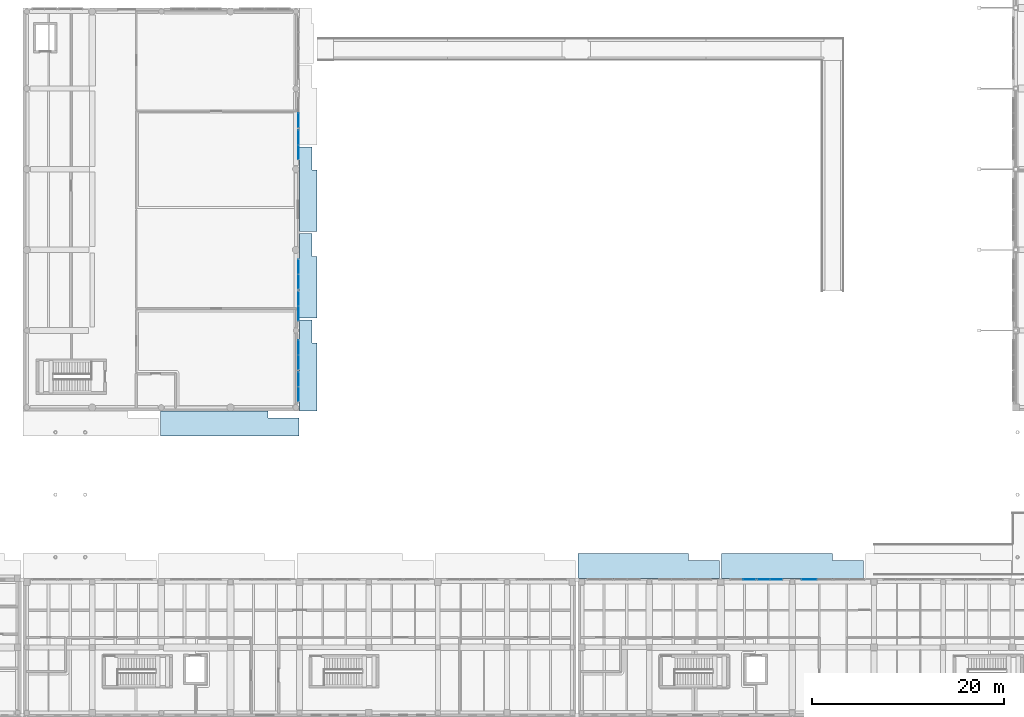
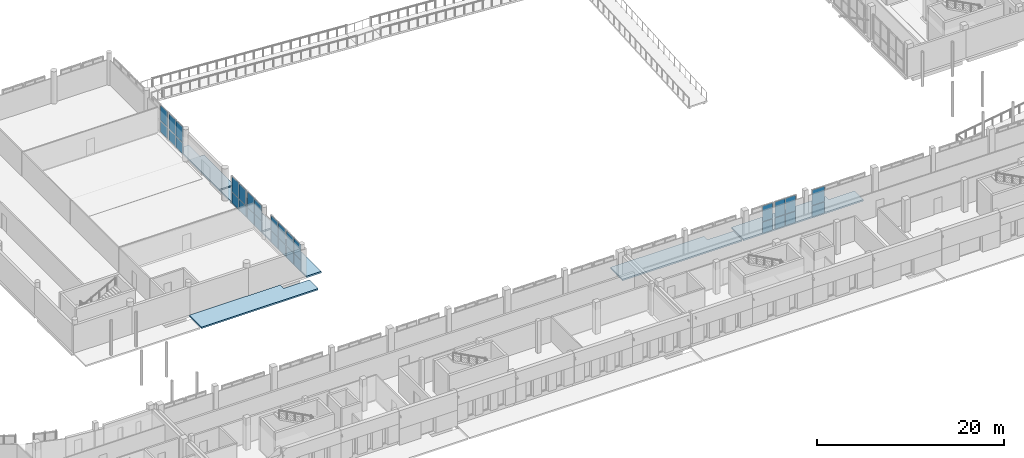
# One storey, part 41 of 77: 30 plates, 6 slabs, 9 elements without a shape of their own.
"""IFC4 building model written with IfcOpenShell, lengths in metres."""

from ifc_helpers import new_model, si_unit, direction, frame, origin, origin_2d, place, context, subcontext, project, spatial, polyline, rectangle, outline, extrude, material, layer, layer_set, type_object, element, aggregate, save


model = new_model("IFC4")

# Units and contexts
model_context = context("Model", 3, precision=1e-05, world=origin(), true_north=direction((0.0, 1.0)))
body_context = subcontext(model_context, "Body", "Model", "MODEL_VIEW")
ifc_project = project(units=[si_unit("LENGTHUNIT", "METRE"), si_unit("AREAUNIT", "SQUARE_METRE"), si_unit("VOLUMEUNIT", "CUBIC_METRE"), si_unit("PLANEANGLEUNIT", "RADIAN"), si_unit("MASSUNIT", "GRAM", prefix="KILO")], contexts=[model_context])

# Site, building, storey
site_placement = place(None, origin())
site = spatial("IfcSite", under=ifc_project, at=site_placement, CompositionType="ELEMENT")
building_placement = place(site_placement, origin())
building = spatial("IfcBuilding", under=site, at=building_placement, Name="Vardoun Plaza Health Centre", CompositionType="ELEMENT")
storey_placement = place(building_placement, origin())
storey = spatial("IfcBuildingStorey", under=building, at=storey_placement, Name="L00", CompositionType="ELEMENT", Elevation=0.0)

# Curtain wall, plates
ifc_material_1 = material(Name="Aluminium Alloy EN AW-6063-T6 and Low-E Glass", Category="aluminium")
ifc_layer_1 = layer(ifc_material_1, 0.14990234375)
ifc_layer_set_1 = layer_set([ifc_layer_1], Name="Aluminium Alloy EN AW-6063-T6 and Low-E Glass")
curtain_wall_type_1 = type_object("IfcCurtainWallType", Name="CW-03", PredefinedType="NOTDEFINED", material=ifc_layer_set_1)
curtain_wall_1_placement = place(storey_placement, origin())
curtain_wall_1 = element("IfcCurtainWall", 1, at=curtain_wall_1_placement, inside=storey, type_object=curtain_wall_type_1, Name="Curtain Wall CW-V5-137", PredefinedType="NOTDEFINED")
ifc_material_2 = material(Name="Solar-Control Double Low-E Glazing", Category="glass")
ifc_layer_2 = layer(ifc_material_2, 0.028076171875)
ifc_layer_set_2 = layer_set([ifc_layer_2], Name="Solar-Control Double Low-E Glazing")
plate_type_1 = type_object("IfcPlateType", Name="CW-P1", PredefinedType="CURTAIN_PANEL", material=ifc_layer_set_2)
plate_1_placement = place(storey_placement, frame((123.4951171875, 18.780029296875, 0.06005859375), z_axis=(0.0, 0.0, 1.0), x_axis=(1.0, 0.0, 0.0)))
plate_1 = element("IfcPlate", 2, at=plate_1_placement, type_object=plate_type_1, Name="CW-V5-137 panel 2.1", PredefinedType="CURTAIN_PANEL", context=body_context, shape_type="SweptSolid", body=[
    extrude(rectangle(XDim=1.25, YDim=0.028076171875, at=origin_2d()), origin(), (0.0, 0.0, 1.0), 1.459716796875),
])
plate_2_placement = place(storey_placement, frame((123.4951171875, 18.780029296875, 1.579833984375), z_axis=(0.0, 0.0, 1.0), x_axis=(1.0, 0.0, 0.0)))
plate_2 = element("IfcPlate", 3, at=plate_2_placement, type_object=plate_type_1, Name="CW-V5-137 panel 2.2", PredefinedType="CURTAIN_PANEL", context=body_context, shape_type="SweptSolid", body=[
    extrude(rectangle(XDim=1.25, YDim=0.028076171875, at=origin_2d()), origin(), (0.0, 0.0, 1.0), 2.05029296875),
])
aggregate(curtain_wall_1, [plate_1, plate_2])

curtain_wall_2_placement = place(storey_placement, origin())
curtain_wall_2 = element("IfcCurtainWall", 4, at=curtain_wall_2_placement, inside=storey, type_object=curtain_wall_type_1, Name="Curtain Wall CW-V5-138", PredefinedType="NOTDEFINED")
plate_3_placement = place(storey_placement, frame((125.02490234375, 18.780029296875, 0.06005859375), z_axis=(0.0, 0.0, 1.0), x_axis=(1.0, 0.0, 0.0)))
plate_3 = element("IfcPlate", 5, at=plate_3_placement, type_object=plate_type_1, Name="CW-V5-138 panel 1.1", PredefinedType="CURTAIN_PANEL", context=body_context, shape_type="SweptSolid", body=[
    extrude(rectangle(XDim=1.25, YDim=0.028076171875, at=origin_2d()), origin(), (0.0, 0.0, 1.0), 1.459716796875),
])
plate_4_placement = place(storey_placement, frame((125.02490234375, 18.780029296875, 1.579833984375), z_axis=(0.0, 0.0, 1.0), x_axis=(1.0, 0.0, 0.0)))
plate_4 = element("IfcPlate", 6, at=plate_4_placement, type_object=plate_type_1, Name="CW-V5-138 panel 1.2", PredefinedType="CURTAIN_PANEL", context=body_context, shape_type="SweptSolid", body=[
    extrude(rectangle(XDim=1.25, YDim=0.028076171875, at=origin_2d()), origin(), (0.0, 0.0, 1.0), 2.05029296875),
])
plate_5_placement = place(storey_placement, frame((126.3349609375, 18.780029296875, 0.06005859375), z_axis=(0.0, 0.0, 1.0), x_axis=(1.0, 0.0, 0.0)))
plate_5 = element("IfcPlate", 7, at=plate_5_placement, type_object=plate_type_1, Name="CW-V5-138 panel 2.1", PredefinedType="CURTAIN_PANEL", context=body_context, shape_type="SweptSolid", body=[
    extrude(rectangle(XDim=1.25, YDim=0.028076171875, at=origin_2d()), origin(), (0.0, 0.0, 1.0), 1.459716796875),
])
plate_6_placement = place(storey_placement, frame((126.3349609375, 18.780029296875, 1.579833984375), z_axis=(0.0, 0.0, 1.0), x_axis=(1.0, 0.0, 0.0)))
plate_6 = element("IfcPlate", 8, at=plate_6_placement, type_object=plate_type_1, Name="CW-V5-138 panel 2.2", PredefinedType="CURTAIN_PANEL", context=body_context, shape_type="SweptSolid", body=[
    extrude(rectangle(XDim=1.25, YDim=0.028076171875, at=origin_2d()), origin(), (0.0, 0.0, 1.0), 2.05029296875),
])
aggregate(curtain_wall_2, [plate_3, plate_4, plate_5, plate_6])

curtain_wall_3_placement = place(storey_placement, origin())
curtain_wall_3 = element("IfcCurtainWall", 9, at=curtain_wall_3_placement, inside=storey, type_object=curtain_wall_type_1, Name="Curtain Wall CW-V5-139", PredefinedType="NOTDEFINED")
plate_7_placement = place(storey_placement, frame((129.760009765625, 18.780029296875, 0.06005859375), z_axis=(0.0, 0.0, 1.0), x_axis=(1.0, 0.0, 0.0)))
plate_7 = element("IfcPlate", 10, at=plate_7_placement, type_object=plate_type_1, Name="CW-V5-139 panel 1.1", PredefinedType="CURTAIN_PANEL", context=body_context, shape_type="SweptSolid", body=[
    extrude(rectangle(XDim=1.52001953125, YDim=0.028076171875, at=origin_2d()), origin(), (0.0, 0.0, 1.0), 1.42626953125),
])
plate_8_placement = place(storey_placement, frame((129.760009765625, 18.780029296875, 1.546142578125), z_axis=(0.0, 0.0, 1.0), x_axis=(1.0, 0.0, 0.0)))
plate_8 = element("IfcPlate", 11, at=plate_8_placement, type_object=plate_type_1, Name="CW-V5-139 panel 1.2", PredefinedType="CURTAIN_PANEL", context=body_context, shape_type="SweptSolid", body=[
    extrude(rectangle(XDim=1.52001953125, YDim=0.028076171875, at=origin_2d()), origin(), (0.0, 0.0, 1.0), 2.00390625),
])
aggregate(curtain_wall_3, [plate_7, plate_8])

ifc_material_3 = material(Name="Aluminium Alloy EN AW-6063-T6 and Low-E Glass", Category="aluminium")
ifc_layer_3 = layer(ifc_material_3, 0.179931640625)
ifc_layer_set_3 = layer_set([ifc_layer_3], Name="Aluminium Alloy EN AW-6063-T6 and Low-E Glass")
curtain_wall_type_2 = type_object("IfcCurtainWallType", Name="CW-01", PredefinedType="USERDEFINED", material=ifc_layer_set_3)
curtain_wall_4_placement = place(storey_placement, origin())
curtain_wall_4 = element("IfcCurtainWall", 12, at=curtain_wall_4_placement, inside=storey, type_object=curtain_wall_type_2, Name="Curtain Wall CW-V1-009", ObjectType="CONCOURSE_CURTAIN_WALL", PredefinedType="USERDEFINED")
ifc_material_4 = material(Name="Acoustic Laminated Double Low-E Glazing", Category="glass")
ifc_layer_4 = layer(ifc_material_4, 0.031982421875)
ifc_layer_set_4 = layer_set([ifc_layer_4], Name="Acoustic Laminated Double Low-E Glazing")
plate_type_2 = type_object("IfcPlateType", Name="CW-P2", PredefinedType="CURTAIN_PANEL", material=ifc_layer_set_4)
plate_9_placement = place(storey_placement, frame((76.56005859375, 66.586181640625, 0.06494140625), z_axis=(0.0, 0.0, 1.0), x_axis=(0.0, -1.0, 0.0)))
plate_9 = element("IfcPlate", 13, at=plate_9_placement, type_object=plate_type_2, Name="CW-V1-009 panel 2.1", PredefinedType="CURTAIN_PANEL", context=body_context, shape_type="SweptSolid", body=[
    extrude(rectangle(XDim=1.482421875, YDim=0.031982421875, at=origin_2d()), origin(), (0.0, 0.0, 1.0), 1.4375),
])
plate_10_placement = place(storey_placement, frame((76.56005859375, 66.586181640625, 1.567626953125), z_axis=(0.0, 0.0, 1.0), x_axis=(0.0, -1.0, 0.0)))
plate_10 = element("IfcPlate", 14, at=plate_10_placement, type_object=plate_type_2, Name="CW-V1-009 panel 2.2", PredefinedType="CURTAIN_PANEL", context=body_context, shape_type="SweptSolid", body=[
    extrude(rectangle(XDim=1.482421875, YDim=0.031982421875, at=origin_2d()), origin(), (0.0, 0.0, 1.0), 2.0224609375),
])
aggregate(curtain_wall_4, [plate_9, plate_10])

curtain_wall_5_placement = place(storey_placement, origin())
curtain_wall_5 = element("IfcCurtainWall", 15, at=curtain_wall_5_placement, inside=storey, type_object=curtain_wall_type_2, Name="Curtain Wall CW-V1-010", ObjectType="CONCOURSE_CURTAIN_WALL", PredefinedType="USERDEFINED")
plate_11_placement = place(storey_placement, frame((76.56005859375, 64.813720703125, 0.06494140625), z_axis=(0.0, 0.0, 1.0), x_axis=(0.0, -1.0, 0.0)))
plate_11 = element("IfcPlate", 16, at=plate_11_placement, type_object=plate_type_2, Name="CW-V1-010 panel 1.1", PredefinedType="CURTAIN_PANEL", context=body_context, shape_type="SweptSolid", body=[
    extrude(rectangle(XDim=1.482421875, YDim=0.031982421875, at=origin_2d()), origin(), (0.0, 0.0, 1.0), 1.4375),
])
plate_12_placement = place(storey_placement, frame((76.56005859375, 64.813720703125, 1.567626953125), z_axis=(0.0, 0.0, 1.0), x_axis=(0.0, -1.0, 0.0)))
plate_12 = element("IfcPlate", 17, at=plate_12_placement, type_object=plate_type_2, Name="CW-V1-010 panel 1.2", PredefinedType="CURTAIN_PANEL", context=body_context, shape_type="SweptSolid", body=[
    extrude(rectangle(XDim=1.482421875, YDim=0.031982421875, at=origin_2d()), origin(), (0.0, 0.0, 1.0), 2.0224609375),
])
plate_13_placement = place(storey_placement, frame((76.56005859375, 63.266357421875, 0.06494140625), z_axis=(0.0, 0.0, 1.0), x_axis=(0.0, -1.0, 0.0)))
plate_13 = element("IfcPlate", 18, at=plate_13_placement, type_object=plate_type_2, Name="CW-V1-010 panel 2.1", PredefinedType="CURTAIN_PANEL", context=body_context, shape_type="SweptSolid", body=[
    extrude(rectangle(XDim=1.482421875, YDim=0.031982421875, at=origin_2d()), origin(), (0.0, 0.0, 1.0), 1.4375),
])
plate_14_placement = place(storey_placement, frame((76.56005859375, 63.266357421875, 1.567626953125), z_axis=(0.0, 0.0, 1.0), x_axis=(0.0, -1.0, 0.0)))
plate_14 = element("IfcPlate", 19, at=plate_14_placement, type_object=plate_type_2, Name="CW-V1-010 panel 2.2", PredefinedType="CURTAIN_PANEL", context=body_context, shape_type="SweptSolid", body=[
    extrude(rectangle(XDim=1.482421875, YDim=0.031982421875, at=origin_2d()), origin(), (0.0, 0.0, 1.0), 2.0224609375),
])
aggregate(curtain_wall_5, [plate_11, plate_12, plate_13, plate_14])

curtain_wall_6_placement = place(storey_placement, origin())
curtain_wall_6 = element("IfcCurtainWall", 20, at=curtain_wall_6_placement, inside=storey, type_object=curtain_wall_type_2, Name="Curtain Wall CW-V1-011", ObjectType="CONCOURSE_CURTAIN_WALL", PredefinedType="USERDEFINED")
plate_15_placement = place(storey_placement, frame((76.56005859375, 51.333740234375, 0.06494140625), z_axis=(0.0, 0.0, 1.0), x_axis=(0.0, -1.0, 0.0)))
plate_15 = element("IfcPlate", 21, at=plate_15_placement, type_object=plate_type_2, Name="CW-V1-011 panel 1.1", PredefinedType="CURTAIN_PANEL", context=body_context, shape_type="SweptSolid", body=[
    extrude(rectangle(XDim=1.482421875, YDim=0.031982421875, at=origin_2d()), origin(), (0.0, 0.0, 1.0), 1.41650390625),
])
plate_16_placement = place(storey_placement, frame((76.56005859375, 51.333740234375, 1.54638671875), z_axis=(0.0, 0.0, 1.0), x_axis=(0.0, -1.0, 0.0)))
plate_16 = element("IfcPlate", 22, at=plate_16_placement, type_object=plate_type_2, Name="CW-V1-011 panel 1.2", PredefinedType="CURTAIN_PANEL", context=body_context, shape_type="SweptSolid", body=[
    extrude(rectangle(XDim=1.482421875, YDim=0.031982421875, at=origin_2d()), origin(), (0.0, 0.0, 1.0), 1.993408203125),
])
plate_17_placement = place(storey_placement, frame((76.56005859375, 49.7861328125, 0.06494140625), z_axis=(0.0, 0.0, 1.0), x_axis=(0.0, -1.0, 0.0)))
plate_17 = element("IfcPlate", 23, at=plate_17_placement, type_object=plate_type_2, Name="CW-V1-011 panel 2.1", PredefinedType="CURTAIN_PANEL", context=body_context, shape_type="SweptSolid", body=[
    extrude(rectangle(XDim=1.482421875, YDim=0.031982421875, at=origin_2d()), origin(), (0.0, 0.0, 1.0), 1.41650390625),
])
plate_18_placement = place(storey_placement, frame((76.56005859375, 49.7861328125, 1.54638671875), z_axis=(0.0, 0.0, 1.0), x_axis=(0.0, -1.0, 0.0)))
plate_18 = element("IfcPlate", 24, at=plate_18_placement, type_object=plate_type_2, Name="CW-V1-011 panel 2.2", PredefinedType="CURTAIN_PANEL", context=body_context, shape_type="SweptSolid", body=[
    extrude(rectangle(XDim=1.482421875, YDim=0.031982421875, at=origin_2d()), origin(), (0.0, 0.0, 1.0), 1.993408203125),
])
aggregate(curtain_wall_6, [plate_15, plate_16, plate_17, plate_18])

curtain_wall_7_placement = place(storey_placement, origin())
curtain_wall_7 = element("IfcCurtainWall", 25, at=curtain_wall_7_placement, inside=storey, type_object=curtain_wall_type_2, Name="Curtain Wall CW-V1-012", ObjectType="CONCOURSE_CURTAIN_WALL", PredefinedType="USERDEFINED")
plate_19_placement = place(storey_placement, frame((76.56005859375, 48.013671875, 0.06494140625), z_axis=(0.0, 0.0, 1.0), x_axis=(0.0, -1.0, 0.0)))
plate_19 = element("IfcPlate", 26, at=plate_19_placement, type_object=plate_type_2, Name="CW-V1-012 panel 1.1", PredefinedType="CURTAIN_PANEL", context=body_context, shape_type="SweptSolid", body=[
    extrude(rectangle(XDim=1.482421875, YDim=0.031982421875, at=origin_2d()), origin(), (0.0, 0.0, 1.0), 1.41650390625),
])
plate_20_placement = place(storey_placement, frame((76.56005859375, 48.013671875, 1.54638671875), z_axis=(0.0, 0.0, 1.0), x_axis=(0.0, -1.0, 0.0)))
plate_20 = element("IfcPlate", 27, at=plate_20_placement, type_object=plate_type_2, Name="CW-V1-012 panel 1.2", PredefinedType="CURTAIN_PANEL", context=body_context, shape_type="SweptSolid", body=[
    extrude(rectangle(XDim=1.482421875, YDim=0.031982421875, at=origin_2d()), origin(), (0.0, 0.0, 1.0), 1.993408203125),
])
plate_21_placement = place(storey_placement, frame((76.56005859375, 46.46630859375, 0.06494140625), z_axis=(0.0, 0.0, 1.0), x_axis=(0.0, -1.0, 0.0)))
plate_21 = element("IfcPlate", 28, at=plate_21_placement, type_object=plate_type_2, Name="CW-V1-012 panel 2.1", PredefinedType="CURTAIN_PANEL", context=body_context, shape_type="SweptSolid", body=[
    extrude(rectangle(XDim=1.482421875, YDim=0.031982421875, at=origin_2d()), origin(), (0.0, 0.0, 1.0), 1.41650390625),
])
plate_22_placement = place(storey_placement, frame((76.56005859375, 46.46630859375, 1.54638671875), z_axis=(0.0, 0.0, 1.0), x_axis=(0.0, -1.0, 0.0)))
plate_22 = element("IfcPlate", 29, at=plate_22_placement, type_object=plate_type_2, Name="CW-V1-012 panel 2.2", PredefinedType="CURTAIN_PANEL", context=body_context, shape_type="SweptSolid", body=[
    extrude(rectangle(XDim=1.482421875, YDim=0.031982421875, at=origin_2d()), origin(), (0.0, 0.0, 1.0), 1.993408203125),
])
aggregate(curtain_wall_7, [plate_19, plate_20, plate_21, plate_22])

curtain_wall_8_placement = place(storey_placement, origin())
curtain_wall_8 = element("IfcCurtainWall", 30, at=curtain_wall_8_placement, inside=storey, type_object=curtain_wall_type_2, Name="Curtain Wall CW-V1-013", ObjectType="CONCOURSE_CURTAIN_WALL", PredefinedType="USERDEFINED")
plate_23_placement = place(storey_placement, frame((76.56005859375, 42.933837890625, 0.06494140625), z_axis=(0.0, 0.0, 1.0), x_axis=(0.0, -1.0, 0.0)))
plate_23 = element("IfcPlate", 31, at=plate_23_placement, type_object=plate_type_2, Name="CW-V1-013 panel 1.1", PredefinedType="CURTAIN_PANEL", context=body_context, shape_type="SweptSolid", body=[
    extrude(rectangle(XDim=1.482421875, YDim=0.031982421875, at=origin_2d()), origin(), (0.0, 0.0, 1.0), 1.408203125),
])
plate_24_placement = place(storey_placement, frame((76.56005859375, 42.933837890625, 1.5380859375), z_axis=(0.0, 0.0, 1.0), x_axis=(0.0, -1.0, 0.0)))
plate_24 = element("IfcPlate", 32, at=plate_24_placement, type_object=plate_type_2, Name="CW-V1-013 panel 1.2", PredefinedType="CURTAIN_PANEL", context=body_context, shape_type="SweptSolid", body=[
    extrude(rectangle(XDim=1.482421875, YDim=0.031982421875, at=origin_2d()), origin(), (0.0, 0.0, 1.0), 1.981689453125),
])
plate_25_placement = place(storey_placement, frame((76.56005859375, 41.38623046875, 0.06494140625), z_axis=(0.0, 0.0, 1.0), x_axis=(0.0, -1.0, 0.0)))
plate_25 = element("IfcPlate", 33, at=plate_25_placement, type_object=plate_type_2, Name="CW-V1-013 panel 2.1", PredefinedType="CURTAIN_PANEL", context=body_context, shape_type="SweptSolid", body=[
    extrude(rectangle(XDim=1.482421875, YDim=0.031982421875, at=origin_2d()), origin(), (0.0, 0.0, 1.0), 1.408203125),
])
plate_26_placement = place(storey_placement, frame((76.56005859375, 41.38623046875, 1.5380859375), z_axis=(0.0, 0.0, 1.0), x_axis=(0.0, -1.0, 0.0)))
plate_26 = element("IfcPlate", 34, at=plate_26_placement, type_object=plate_type_2, Name="CW-V1-013 panel 2.2", PredefinedType="CURTAIN_PANEL", context=body_context, shape_type="SweptSolid", body=[
    extrude(rectangle(XDim=1.482421875, YDim=0.031982421875, at=origin_2d()), origin(), (0.0, 0.0, 1.0), 1.981689453125),
])
aggregate(curtain_wall_8, [plate_23, plate_24, plate_25, plate_26])

curtain_wall_9_placement = place(storey_placement, origin())
curtain_wall_9 = element("IfcCurtainWall", 35, at=curtain_wall_9_placement, inside=storey, type_object=curtain_wall_type_2, Name="Curtain Wall CW-V1-014", ObjectType="CONCOURSE_CURTAIN_WALL", PredefinedType="USERDEFINED")
plate_27_placement = place(storey_placement, frame((76.56005859375, 39.61376953125, 0.06494140625), z_axis=(0.0, 0.0, 1.0), x_axis=(0.0, -1.0, 0.0)))
plate_27 = element("IfcPlate", 36, at=plate_27_placement, type_object=plate_type_2, Name="CW-V1-014 panel 1.1", PredefinedType="CURTAIN_PANEL", context=body_context, shape_type="SweptSolid", body=[
    extrude(rectangle(XDim=1.482421875, YDim=0.031982421875, at=origin_2d()), origin(), (0.0, 0.0, 1.0), 1.408203125),
])
plate_28_placement = place(storey_placement, frame((76.56005859375, 39.61376953125, 1.5380859375), z_axis=(0.0, 0.0, 1.0), x_axis=(0.0, -1.0, 0.0)))
plate_28 = element("IfcPlate", 37, at=plate_28_placement, type_object=plate_type_2, Name="CW-V1-014 panel 1.2", PredefinedType="CURTAIN_PANEL", context=body_context, shape_type="SweptSolid", body=[
    extrude(rectangle(XDim=1.482421875, YDim=0.031982421875, at=origin_2d()), origin(), (0.0, 0.0, 1.0), 1.981689453125),
])
plate_29_placement = place(storey_placement, frame((76.56005859375, 38.066162109375, 0.06494140625), z_axis=(0.0, 0.0, 1.0), x_axis=(0.0, -1.0, 0.0)))
plate_29 = element("IfcPlate", 38, at=plate_29_placement, type_object=plate_type_2, Name="CW-V1-014 panel 2.1", PredefinedType="CURTAIN_PANEL", context=body_context, shape_type="SweptSolid", body=[
    extrude(rectangle(XDim=1.482421875, YDim=0.031982421875, at=origin_2d()), origin(), (0.0, 0.0, 1.0), 1.408203125),
])
plate_30_placement = place(storey_placement, frame((76.56005859375, 38.066162109375, 1.5380859375), z_axis=(0.0, 0.0, 1.0), x_axis=(0.0, -1.0, 0.0)))
plate_30 = element("IfcPlate", 39, at=plate_30_placement, type_object=plate_type_2, Name="CW-V1-014 panel 2.2", PredefinedType="CURTAIN_PANEL", context=body_context, shape_type="SweptSolid", body=[
    extrude(rectangle(XDim=1.482421875, YDim=0.031982421875, at=origin_2d()), origin(), (0.0, 0.0, 1.0), 1.981689453125),
])
aggregate(curtain_wall_9, [plate_27, plate_28, plate_29, plate_30])

# Slabs
ifc_material_5 = material(Name="Pale Limestone Concrete C35/45", Category="masonry")
ifc_layer_5 = layer(ifc_material_5, 0.169921875)
ifc_layer_set_5 = layer_set([ifc_layer_5], Name="Pale Limestone Concrete C35/45")
slab_type = type_object("IfcSlabType", Name="SL-T2", PredefinedType="USERDEFINED", material=ifc_layer_set_5)
slab_1_placement = place(storey_placement, frame((0.0, 0.0, -0.199951171875)))
element("IfcSlab", 40, at=slab_1_placement, inside=storey, type_object=slab_type, Name="Ground Plaza Paving Apron PZ-C11", ObjectType="PAVING", PredefinedType="USERDEFINED", context=body_context, shape_type="SweptSolid", body=[
    extrude(outline(polyline([(62.199951171875, 33.699951171875), (76.60009765625, 33.699951171875), (76.60009765625, 35.572021484375), (73.39990234375, 35.572021484375), (73.39990234375, 36.300048828125), (62.199951171875, 36.300048828125), (62.199951171875, 33.699951171875)])), origin(), (0.0, 0.0, 1.0), 0.199951171875),
])
slab_2_placement = place(storey_placement, frame((0.0, 0.0, -0.199951171875)))
element("IfcSlab", 41, at=slab_2_placement, inside=storey, type_object=slab_type, Name="Ground Plaza Paving Apron PZ-C12", ObjectType="PAVING", PredefinedType="USERDEFINED", context=body_context, shape_type="SweptSolid", body=[
    extrude(outline(polyline([(105.659912109375, 18.89990234375), (120.39990234375, 18.89990234375), (120.39990234375, 20.77197265625), (117.199951171875, 20.77197265625), (117.199951171875, 21.5), (105.659912109375, 21.5), (105.659912109375, 18.89990234375)])), origin(), (0.0, 0.0, 1.0), 0.199951171875),
])
slab_3_placement = place(storey_placement, frame((0.0, 0.0, -0.199951171875)))
element("IfcSlab", 42, at=slab_3_placement, inside=storey, type_object=slab_type, Name="Ground Plaza Paving Apron PZ-C13", ObjectType="PAVING", PredefinedType="USERDEFINED", context=body_context, shape_type="SweptSolid", body=[
    extrude(outline(polyline([(120.60009765625, 18.89990234375), (135.39990234375, 18.89990234375), (135.39990234375, 20.77197265625), (132.199951171875, 20.77197265625), (132.199951171875, 21.5), (120.60009765625, 21.5), (120.60009765625, 18.89990234375)])), origin(), (0.0, 0.0, 1.0), 0.199951171875),
])
slab_4_placement = place(storey_placement, frame((0.0, 0.0, -0.199951171875)))
element("IfcSlab", 43, at=slab_4_placement, inside=storey, type_object=slab_type, Name="Ground Plaza Paving Apron PZ-C20", ObjectType="PAVING", PredefinedType="USERDEFINED", context=body_context, shape_type="SweptSolid", body=[
    extrude(outline(polyline([(76.679931640625, 55.0), (78.47998046875, 55.0), (78.47998046875, 61.39990234375), (77.97607421875, 61.39990234375), (77.97607421875, 63.800048828125), (76.679931640625, 63.800048828125), (76.679931640625, 55.0)])), origin(), (0.0, 0.0, 1.0), 0.199951171875),
])
slab_5_placement = place(storey_placement, frame((0.0, 0.0, -0.199951171875)))
element("IfcSlab", 44, at=slab_5_placement, inside=storey, type_object=slab_type, Name="Ground Plaza Paving Apron PZ-C21", ObjectType="PAVING", PredefinedType="USERDEFINED", context=body_context, shape_type="SweptSolid", body=[
    extrude(outline(polyline([(76.679931640625, 46.0), (78.47998046875, 46.0), (78.47998046875, 52.39990234375), (77.97607421875, 52.39990234375), (77.97607421875, 54.800048828125), (76.679931640625, 54.800048828125), (76.679931640625, 46.0)])), origin(), (0.0, 0.0, 1.0), 0.199951171875),
])
slab_6_placement = place(storey_placement, frame((0.0, 0.0, -0.199951171875)))
element("IfcSlab", 45, at=slab_6_placement, inside=storey, type_object=slab_type, Name="Ground Plaza Paving Apron PZ-C22", ObjectType="PAVING", PredefinedType="USERDEFINED", context=body_context, shape_type="SweptSolid", body=[
    extrude(outline(polyline([(76.679931640625, 36.300048828125), (78.47998046875, 36.300048828125), (78.47998046875, 43.39990234375), (77.97607421875, 43.39990234375), (77.97607421875, 45.800048828125), (76.679931640625, 45.800048828125), (76.679931640625, 36.300048828125)])), origin(), (0.0, 0.0, 1.0), 0.199951171875),
])

save(model, "model.ifc")
